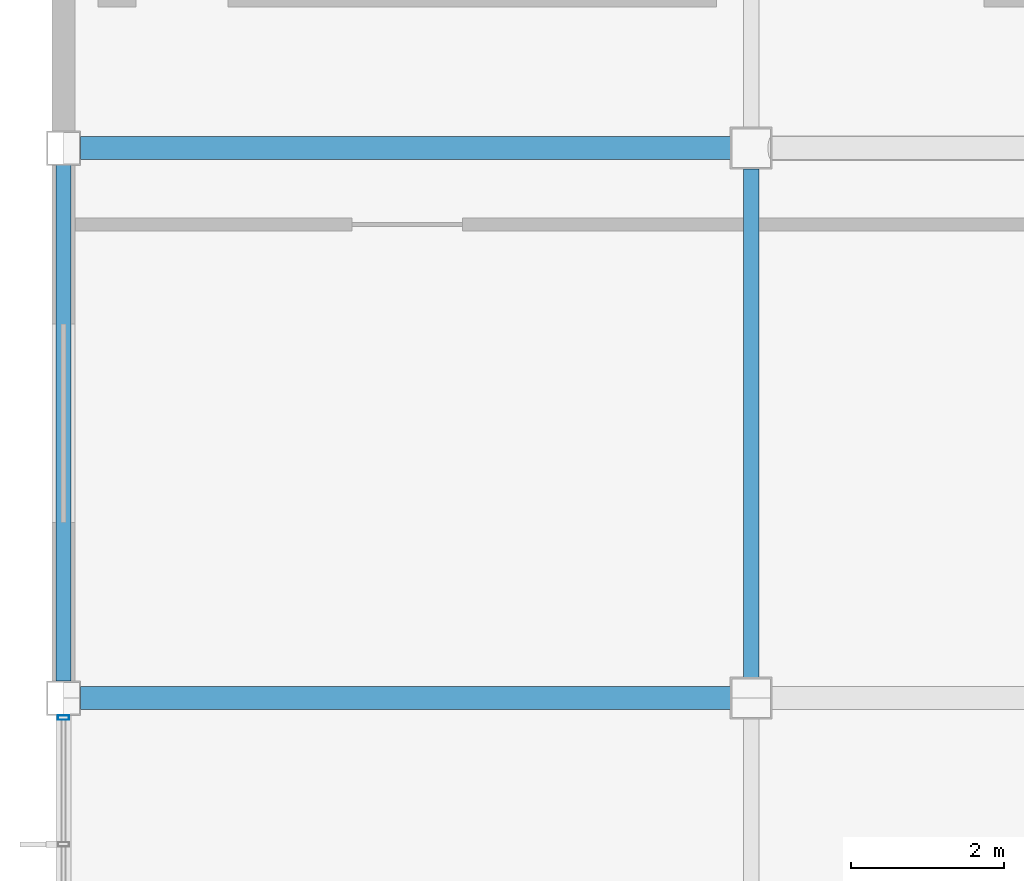
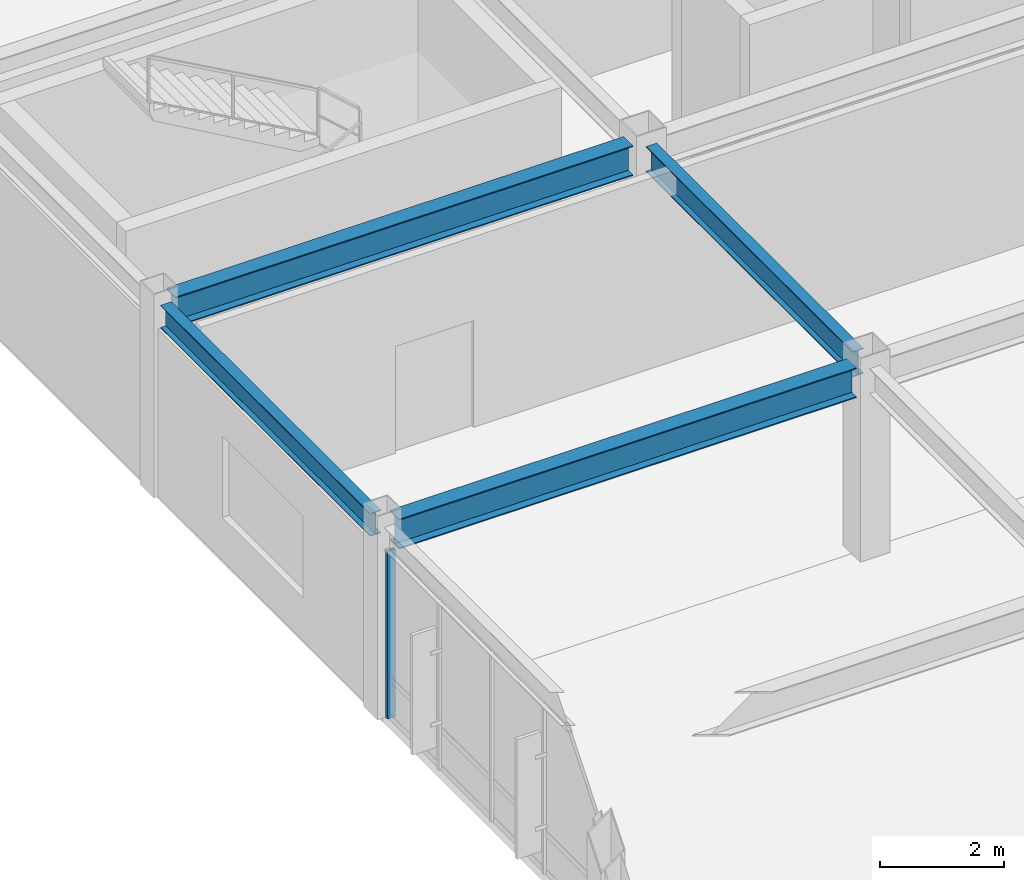
# One storey, part 54 of 113: 4 beams, 1 member, 1 element without a shape of its own.
"""IFC4 building model written with IfcOpenShell, lengths in metres."""

import ifcopenshell
import ifcopenshell.guid

model = None  # the IFC model being written
_history = None  # IfcOwnerHistory: only IFC2X3 demands one
_inside = {}  # id of a spatial element -> (the spatial element, [elements in it])
_under = {}  # id of a project, library or spatial element -> (it, [spatial elements below it])
_declared = {}  # id of a project -> (the project, [libraries it declares])
_typed = {}  # id of a type object -> (the type object, [elements of that type])
_made_of = {}  # id of a material, layer set ... -> (it, [elements and type objects made of it])


def new_model(schema):
    """Start an empty IFC model of exactly this schema.

    Asked for "IFC4X3", IfcOpenShell would pick the latest addendum, in which some entities
    have other attributes; the version numbers below select the first issue.
    IFC2X3 requires an IfcOwnerHistory on every rooted entity: one is made here for all.
    """
    global model, _history
    if schema == "IFC4X3":
        model = ifcopenshell.file(schema_version=(4, 3, 0, 0))
    else:
        model = ifcopenshell.file(schema=schema)
    _inside.clear()
    _under.clear()
    _declared.clear()
    _typed.clear()
    _made_of.clear()
    _history = None
    if model.schema == "IFC2X3":
        org = make("IfcOrganization", Name="unknown")
        user = make(
            "IfcPersonAndOrganization",
            ThePerson=make("IfcPerson", FamilyName="unknown"),
            TheOrganization=org,
        )
        app = make(
            "IfcApplication",
            ApplicationDeveloper=org,
            Version="unknown",
            ApplicationFullName="unknown",
            ApplicationIdentifier="unknown",
        )
        _history = make(
            "IfcOwnerHistory",
            OwningUser=user,
            OwningApplication=app,
            ChangeAction="ADDED",
            CreationDate=0,
        )
    return model


def make(cls, **values):
    """One entity of the class cls with the attributes given. An attribute that is None is left unset."""
    return model.create_entity(
        cls, **{name: value for name, value in values.items() if value is not None}
    )


def rooted(cls, **values):
    """An entity with a GlobalId (a new one), such as an element, a storey or a relation."""
    return make(cls, GlobalId=ifcopenshell.guid.new(), OwnerHistory=_history, **values)


def si_unit(unit_type, name, prefix=None):
    """IfcSIUnit, for example si_unit("LENGTHUNIT", "METRE", prefix="MILLI")."""
    return make("IfcSIUnit", UnitType=unit_type, Prefix=prefix, Name=name)


def assignment(units):
    """IfcUnitAssignment: the units of a project."""
    return None if units is None else make("IfcUnitAssignment", Units=units)


def point(xyz):
    """IfcCartesianPoint."""
    return None if xyz is None else make("IfcCartesianPoint", Coordinates=xyz)


def direction(xyz):
    """IfcDirection."""
    return None if xyz is None else make("IfcDirection", DirectionRatios=xyz)


def frame(location, z_axis=None, x_axis=None):
    """IfcAxis2Placement3D, a coordinate frame: its origin and axes. An axis left out is left unset."""
    return make(
        "IfcAxis2Placement3D",
        Location=point(location),
        Axis=direction(z_axis),
        RefDirection=direction(x_axis),
    )


def frame_2d(location, x_axis=None):
    """IfcAxis2Placement2D, a coordinate frame in the plane: its origin and x axis."""
    return make(
        "IfcAxis2Placement2D", Location=point(location), RefDirection=direction(x_axis)
    )


def origin():
    """The frame at (0, 0, 0) with its axes left unset."""
    return frame((0.0, 0.0, 0.0))


def origin_2d():
    """The frame at (0, 0) in the plane with its x axis left unset."""
    return frame_2d((0.0, 0.0))


def place(relative_to, where):
    """IfcLocalPlacement: puts the frame where relative to a parent placement (None: the world)."""
    return make(
        "IfcLocalPlacement", PlacementRelTo=relative_to, RelativePlacement=where
    )


def context(
    kind, dimensions, precision=None, world=None, true_north=None, identifier=None
):
    """IfcGeometricRepresentationContext, for example the 3D "Model" context."""
    return make(
        "IfcGeometricRepresentationContext",
        ContextIdentifier=identifier,
        ContextType=kind,
        CoordinateSpaceDimension=dimensions,
        Precision=precision,
        WorldCoordinateSystem=world,
        TrueNorth=true_north,
    )


def subcontext(parent, identifier, kind, view, scale=None):
    """IfcGeometricRepresentationSubContext, for example "Body" below "Model"."""
    return make(
        "IfcGeometricRepresentationSubContext",
        ContextIdentifier=identifier,
        ContextType=kind,
        ParentContext=parent,
        TargetScale=scale,
        TargetView=view,
    )


def project(units=None, contexts=None):
    """IfcProject with its units and contexts."""
    return rooted(
        "IfcProject",
        Name="project",
        RepresentationContexts=contexts,
        UnitsInContext=assignment(units),
    )


def spatial(cls, under=None, at=None, **own):
    """A site, building, storey or space (cls), placed at a placement, below another one or the project."""
    s = rooted(cls, ObjectPlacement=at, **own)
    if under is not None:
        _under.setdefault(under.id(), (under, []))[1].append(s)
    return s


def profile(cls, at=None, kind="AREA", **sizes):
    """A parametric profile (cls). Its sizes go by their IFC names, for example OverallWidth=200.0."""
    return make(cls, ProfileType=kind, Position=at, **sizes)


def hollow_rectangle(**sizes):
    """IfcRectangleHollowProfileDef."""
    return profile("IfcRectangleHollowProfileDef", **sizes)


def i_section(**sizes):
    """IfcIShapeProfileDef."""
    return profile("IfcIShapeProfileDef", **sizes)


def extrude(swept, where, along, depth):
    """IfcExtrudedAreaSolid: the profile swept, set in the frame where, extruded along a direction by depth."""
    return make(
        "IfcExtrudedAreaSolid",
        SweptArea=swept,
        Position=where,
        ExtrudedDirection=direction(along),
        Depth=depth,
    )


def shape(context_of_items, identifier, shape_type, items):
    """IfcShapeRepresentation: the items that make up one representation, for example the "Body"."""
    return make(
        "IfcShapeRepresentation",
        ContextOfItems=context_of_items,
        RepresentationIdentifier=identifier,
        RepresentationType=shape_type,
        Items=items,
    )


def material(Name=None, Category=None):
    """IfcMaterial."""
    return make("IfcMaterial", Name=Name, Category=Category)


def material_profile(
    of_material, cross_section, Name=None, Category=None, Priority=None
):
    """IfcMaterialProfile: a cross section and its material."""
    return make(
        "IfcMaterialProfile",
        Name=Name,
        Material=of_material,
        Profile=cross_section,
        Priority=Priority,
        Category=Category,
    )


def profile_set(profiles, Name=None, composite=None):
    """IfcMaterialProfileSet."""
    return make(
        "IfcMaterialProfileSet",
        Name=Name,
        MaterialProfiles=profiles,
        CompositeProfile=composite,
    )


def made_of(thing, what):
    """Note that an element or type object is made of a material, layer set ...; save() writes the relation."""
    if what is not None:
        _made_of.setdefault(what.id(), (what, []))[1].append(thing)
    return thing


def type_object(cls, material=None, **own):
    """A type object (cls), such as IfcWallType, which elements share."""
    return made_of(rooted(cls, **own), material)


def element(
    cls,
    number,
    at=None,
    inside=None,
    cuts=None,
    type_object=None,
    material=None,
    context=None,
    identifier="Body",
    shape_type=None,
    held_by="IfcProductDefinitionShape",
    body=None,
    shapes=None,
    **own,
):
    """One element of the class cls, such as IfcWall. Its Tag is "e" and its number.

    at: its placement. inside: the storey or other place that contains it. cuts: it is an
    opening in that element (IfcRelVoidsElement). A single representation is given by context,
    identifier, shape_type and body (its items); several are given by shapes. held_by: the class
    of the entity that holds the representations. save() writes the other relations.
    """
    e = rooted(cls, Tag="e%d" % number, ObjectPlacement=at, **own)
    if body is not None:
        shapes = [shape(context, identifier, shape_type, body)]
    if shapes is not None:
        e.Representation = make(held_by, Representations=shapes)
    if inside is not None:
        _inside.setdefault(inside.id(), (inside, []))[1].append(e)
    if cuts is not None:
        rooted(
            "IfcRelVoidsElement", RelatingBuildingElement=cuts, RelatedOpeningElement=e
        )
    if type_object is not None:
        _typed.setdefault(type_object.id(), (type_object, []))[1].append(e)
    return made_of(e, material)


def aggregate(whole, parts):
    """IfcRelAggregates: a whole, such as a stair, and the parts it consists of."""
    return rooted("IfcRelAggregates", RelatingObject=whole, RelatedObjects=parts)


def save(model, path):
    """Write the relations noted so far, then the file.

    IfcRelAggregates (storeys below a building ...), IfcRelContainedInSpatialStructure (elements
    in a storey), IfcRelDefinesByType, IfcRelAssociatesMaterial and IfcRelDeclares: one each for
    every whole, place, type object, material and project.
    """
    for whole, parts in _under.values():
        aggregate(whole, parts)
    for where, things in _inside.values():
        rooted(
            "IfcRelContainedInSpatialStructure",
            RelatedElements=things,
            RelatingStructure=where,
        )
    for kind, things in _typed.values():
        rooted("IfcRelDefinesByType", RelatedObjects=things, RelatingType=kind)
    for what, things in _made_of.values():
        rooted("IfcRelAssociatesMaterial", RelatedObjects=things, RelatingMaterial=what)
    for by, libraries in _declared.values():
        rooted("IfcRelDeclares", RelatingContext=by, RelatedDefinitions=libraries)
    model.write(path)


model = new_model("IFC4")

# Units and contexts
model_context = context("Model", 3, precision=1e-05, world=origin(), true_north=direction((0.0, 1.0)))
body_context = subcontext(model_context, "Body", "Model", "MODEL_VIEW")
ifc_project = project(units=[si_unit("LENGTHUNIT", "METRE"), si_unit("AREAUNIT", "SQUARE_METRE"), si_unit("VOLUMEUNIT", "CUBIC_METRE"), si_unit("PLANEANGLEUNIT", "RADIAN"), si_unit("MASSUNIT", "GRAM", prefix="KILO")], contexts=[model_context])

# Site, building, storey
site_placement = place(None, origin())
site = spatial("IfcSite", under=ifc_project, at=site_placement, CompositionType="ELEMENT")
building_placement = place(site_placement, origin())
building = spatial("IfcBuilding", under=site, at=building_placement, Name="Kazanami Central Library", CompositionType="ELEMENT")
storey_placement = place(building_placement, frame((0.0, 0.0, 8.800048828125)))
storey = spatial("IfcBuildingStorey", under=building, at=storey_placement, Name="L03", CompositionType="ELEMENT", Elevation=8.800048828125)

# Beams
ifc_material_1 = material(Name="Steel SN490B (325 MPa)", Category="steel")
ifc_material_profile_1 = material_profile(ifc_material_1, i_section(OverallWidth=0.300048828125, OverallDepth=0.587890625, WebThickness=0.011962890625, FlangeThickness=0.02001953125, at=origin_2d()), Name="H-588x300x12x20")
ifc_profile_set_1 = profile_set([ifc_material_profile_1], Name="Steel SN490B (325 MPa)")
beam_type_1 = type_object("IfcBeamType", Name="BM-G-X2", PredefinedType="BEAM", material=ifc_profile_set_1)
for number, where, z_axis, x_axis, name in (
    (1, (0.222900390625, 72.0, 3.450927734375), (1.0, 0.0, 0.0), (0.0, 1.0, 0.0), "Girder G-X2 L03 L/1-2"),
    (2, (0.222900390625, 79.199951171875, 3.450927734375), (1.0, 0.0, 0.0), (0.0, 1.0, 0.0), "Girder G-X2 L03 M/1-2"),
):
    element("IfcBeam", number, at=place(storey_placement, frame(where, z_axis=z_axis, x_axis=x_axis)), inside=storey, type_object=beam_type_1, Name=name, PredefinedType="BEAM", context=body_context, shape_type="SweptSolid", body=[
        extrude(i_section(OverallWidth=0.300048828125, OverallDepth=0.587890625, WebThickness=0.011962890625, FlangeThickness=0.02001953125, at=origin_2d()), origin(), (0.0, 0.0, 1.0), 8.504150390625),
    ])
ifc_material_profile_2 = material_profile(ifc_material_1, i_section(OverallWidth=0.199951171875, OverallDepth=0.5, WebThickness=0.010009765625, FlangeThickness=0.01611328125, at=origin_2d()), Name="H-500x200x10x16")
ifc_profile_set_2 = profile_set([ifc_material_profile_2], Name="Steel SN490B (325 MPa)")
beam_type_2 = type_object("IfcBeamType", Name="BM-G-Y2", PredefinedType="BEAM", material=ifc_profile_set_2)
beam_1_placement = place(storey_placement, frame((9.0, 72.27294921875, 3.494873046875), z_axis=(0.0, 1.0, 0.0), x_axis=(-1.0, 0.0, 0.0)))
element("IfcBeam", 3, at=beam_1_placement, inside=storey, type_object=beam_type_2, Name="Girder G-Y2 L03 2/L-M", PredefinedType="BEAM", context=body_context, shape_type="SweptSolid", body=[
    extrude(i_section(OverallWidth=0.199951171875, OverallDepth=0.5, WebThickness=0.010009765625, FlangeThickness=0.01611328125, at=origin_2d()), origin(), (0.0, 0.0, 1.0), 6.654052734375),
])
ifc_material_profile_3 = material_profile(ifc_material_1, i_section(OverallWidth=0.199951171875, OverallDepth=0.449951171875, WebThickness=0.009033203125, FlangeThickness=0.013916015625, at=origin_2d()), Name="H-450x200x9x14")
ifc_profile_set_3 = profile_set([ifc_material_profile_3], Name="Steel SN490B (325 MPa)")
beam_type_3 = type_object("IfcBeamType", Name="BM-SP-2", PredefinedType="SPANDREL", material=ifc_profile_set_3)
beam_2_placement = place(storey_placement, frame((0.0, 72.222900390625, 3.52001953125), z_axis=(0.0, 1.0, 0.0), x_axis=(-1.0, 0.0, 0.0)))
element("IfcBeam", 4, at=beam_2_placement, inside=storey, type_object=beam_type_3, Name="Girder SP-2 L03 1/L-M", PredefinedType="SPANDREL", context=body_context, shape_type="SweptSolid", body=[
    extrude(i_section(OverallWidth=0.199951171875, OverallDepth=0.449951171875, WebThickness=0.009033203125, FlangeThickness=0.013916015625, at=origin_2d()), origin(), (0.0, 0.0, 1.0), 6.754150390625),
])

# Curtain wall, member
ifc_material_2 = material(Name="Acid-Etched Low-E Laminated Glass", Category="glass")
curtain_wall_type = type_object("IfcCurtainWallType", Name="CW-6750x3295-M180", PredefinedType="USERDEFINED", material=ifc_material_2)
curtain_wall_placement = place(storey_placement, origin())
curtain_wall = element("IfcCurtainWall", 5, at=curtain_wall_placement, inside=storey, type_object=curtain_wall_type, Name="Unitised Curtain Wall CW-32 L03 W-1-09", ObjectType="UNITISED CURTAIN WALL", PredefinedType="USERDEFINED")
ifc_material_3 = material(Name="Anodised Aluminium A6063-T5", Category="aluminium")
ifc_material_profile_4 = material_profile(ifc_material_3, hollow_rectangle(XDim=0.06005859375, YDim=0.14990234375, WallThickness=0.00390625, at=origin_2d()), Name="ALU-MULL-60x150x4")
ifc_profile_set_4 = profile_set([ifc_material_profile_4], Name="Anodised Aluminium A6063-T5")
member_type = type_object("IfcMemberType", Name="MEM-CW-M3", PredefinedType="MULLION", material=ifc_profile_set_4)
member_placement = place(storey_placement, frame((0.0, 71.7451171875, 0.0), z_axis=(0.0, 0.0, 1.0), x_axis=(0.0, 1.0, 0.0)))
member = element("IfcMember", 6, at=member_placement, type_object=member_type, Name="CW-32 mullion 5", PredefinedType="MULLION", context=body_context, shape_type="SweptSolid", body=[
    extrude(hollow_rectangle(XDim=0.06005859375, YDim=0.14990234375, WallThickness=0.00390625, at=origin_2d()), origin(), (0.0, 0.0, 1.0), 3.294921875),
])
aggregate(curtain_wall, [member])

save(model, "model.ifc")
